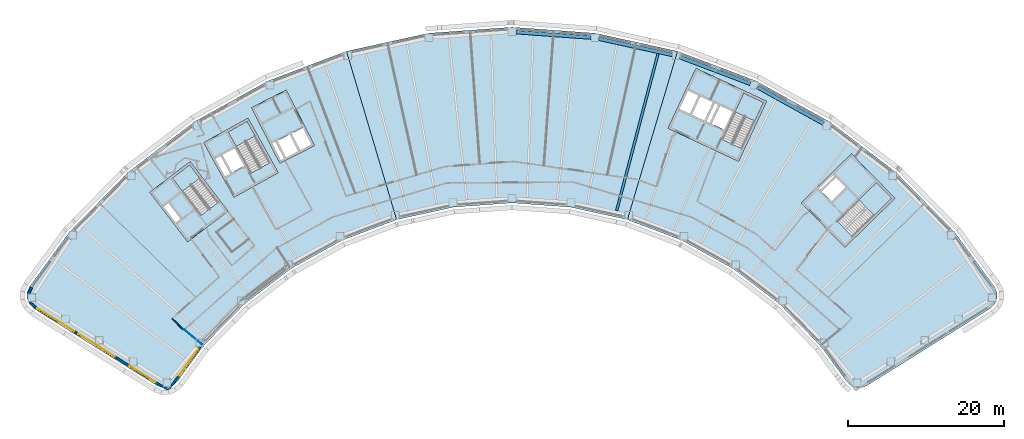
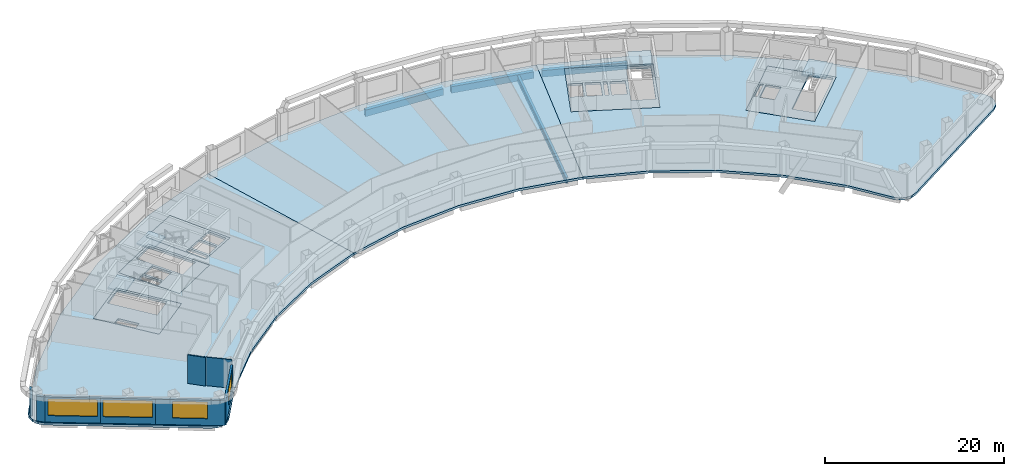
# One storey, part 2 of 11: 12 slabs, 8 walls, 5 beams, 4 windows, 4 openings, 4 elements without a shape of their own.
"""IFC4 building model written with IfcOpenShell, lengths in metres."""

from ifc_helpers import new_model, si_unit, direction, frame, frame_2d, origin, origin_2d, place, context, subcontext, project, spatial, polyline, rectangle, hollow_rectangle, i_section, outline, extrude, material, layer, layer_set, material_profile, profile_set, type_object, element, fill, aggregate, save


model = new_model("IFC4")

# Units and contexts
model_context = context("Model", 3, precision=1e-05, world=origin(), true_north=direction((0.0, 1.0)))
body_context = subcontext(model_context, "Body", "Model", "MODEL_VIEW")
ifc_project = project(units=[si_unit("LENGTHUNIT", "METRE"), si_unit("AREAUNIT", "SQUARE_METRE"), si_unit("VOLUMEUNIT", "CUBIC_METRE"), si_unit("PLANEANGLEUNIT", "RADIAN"), si_unit("MASSUNIT", "GRAM", prefix="KILO")], contexts=[model_context])

# Site, building, storey
site_placement = place(None, origin())
site = spatial("IfcSite", under=ifc_project, at=site_placement, CompositionType="ELEMENT")
building_placement = place(site_placement, origin())
building = spatial("IfcBuilding", under=site, at=building_placement, Name="Tuul Gate Civic Tower", CompositionType="ELEMENT")
storey_placement = place(building_placement, frame((0.0, 0.0, 159.199951171875)))
storey = spatial("IfcBuildingStorey", under=building, at=storey_placement, Name="Level 36", CompositionType="ELEMENT", Elevation=159.199951171875)

# Beams
ifc_material_1 = material(Name="Steel S355", Category="steel")
ifc_material_profile_1 = material_profile(ifc_material_1, i_section(OverallWidth=0.300048828125, OverallDepth=0.800048828125, WebThickness=0.013916015625, FlangeThickness=0.02490234375, at=origin_2d()), Name="PG800x300x14x25")
ifc_profile_set_1 = profile_set([ifc_material_profile_1], Name="Steel S355")
beam_type_1 = type_object("IfcBeamType", Name="STR-FLOOR BEAM-PG800x300x14x25", PredefinedType="BEAM", material=ifc_profile_set_1)
beam_1_placement = place(storey_placement, frame((18.8125, -13.7099609375, -0.699951171875), z_axis=(0.255004720301, 0.96693980817, 0.0), x_axis=(-0.96693980817, 0.255004720301, 0.0)))
element("IfcBeam", 1, at=beam_1_placement, inside=storey, type_object=beam_type_1, Name="Floor beam", PredefinedType="BEAM", context=body_context, shape_type="SweptSolid", body=[
    extrude(i_section(OverallWidth=0.300048828125, OverallDepth=0.800048828125, WebThickness=0.013916015625, FlangeThickness=0.02490234375, at=origin_2d()), origin(), (0.0, 0.0, 1.0), 20.817626953125),
])
ifc_material_2 = material(Name="Steel S355", Category="steel")
ifc_material_profile_2 = material_profile(ifc_material_2, hollow_rectangle(XDim=0.449951171875, YDim=0.89990234375, WallThickness=0.02490234375, at=origin_2d()), Name="BOX900x450x25")
ifc_profile_set_2 = profile_set([ifc_material_profile_2], Name="Steel S355")
beam_type_2 = type_object("IfcBeamType", Name="STR-SPANDREL BEAM-BOX900x450x25", PredefinedType="BEAM", material=ifc_profile_set_2)
beam_2_placement = place(storey_placement, frame((45.338623046875, -2.548583984375, -0.75), z_axis=(-0.874626955885, 0.484796542933, 0.0), x_axis=(-0.484796542933, -0.874626955885, 0.0)))
element("IfcBeam", 2, at=beam_2_placement, inside=storey, type_object=beam_type_2, Name="Spandrel beam", PredefinedType="BEAM", context=body_context, shape_type="SweptSolid", body=[
    extrude(hollow_rectangle(XDim=0.449951171875, YDim=0.89990234375, WallThickness=0.02490234375, at=origin_2d()), origin(), (0.0, 0.0, 1.0), 9.676513671875),
])
beam_3_placement = place(storey_placement, frame((35.97021484375, 2.561767578125, -0.75), z_axis=(-0.935339508416, 0.353751330735, 0.0), x_axis=(-0.353751330735, -0.935339508416, 0.0)))
element("IfcBeam", 3, at=beam_3_placement, inside=storey, type_object=beam_type_2, Name="Spandrel beam", PredefinedType="BEAM", context=body_context, shape_type="SweptSolid", body=[
    extrude(hollow_rectangle(XDim=0.449951171875, YDim=0.89990234375, WallThickness=0.02490234375, at=origin_2d()), origin(), (0.0, 0.0, 1.0), 9.67724609375),
])
beam_4_placement = place(storey_placement, frame((25.962646484375, 6.26953125, -0.75), z_axis=(-0.976569557508, 0.215201996619, 0.0), x_axis=(-0.215201996619, -0.976569557508, 0.0)))
element("IfcBeam", 4, at=beam_4_placement, inside=storey, type_object=beam_type_2, Name="Spandrel beam", PredefinedType="BEAM", context=body_context, shape_type="SweptSolid", body=[
    extrude(hollow_rectangle(XDim=0.449951171875, YDim=0.89990234375, WallThickness=0.02490234375, at=origin_2d()), origin(), (0.0, 0.0, 1.0), 9.67822265625),
])
beam_5_placement = place(storey_placement, frame((15.5244140625, 8.49609375, -0.75), z_axis=(-0.997382449667, 0.072306632453, 0.0), x_axis=(-0.072306632453, -0.997382449667, 0.0)))
element("IfcBeam", 5, at=beam_5_placement, inside=storey, type_object=beam_type_2, Name="Spandrel beam", PredefinedType="BEAM", context=body_context, shape_type="SweptSolid", body=[
    extrude(hollow_rectangle(XDim=0.449951171875, YDim=0.89990234375, WallThickness=0.02490234375, at=origin_2d()), origin(), (0.0, 0.0, 1.0), 9.677001953125),
])

# Slabs
ifc_material_3 = material(Name="Concrete C40/50", Category="concrete")
ifc_layer_1 = layer(ifc_material_3, 0.300048828125)
ifc_layer_set_1 = layer_set([ifc_layer_1], Name="Concrete C40/50")
slab_type_1 = type_object("IfcSlabType", Name="Core floor slab 300", PredefinedType="FLOOR", material=ifc_layer_set_1)
slab_1_placement = place(storey_placement, frame((0.0, 0.0, -0.300048828125)))
element("IfcSlab", 6, at=slab_1_placement, inside=storey, type_object=slab_type_1, Name="FLOOR SLAB", PredefinedType="FLOOR", context=body_context, shape_type="SweptSolid", body=[
    extrude(outline(polyline([(-31.10009765625, -13.7890625), (-35.946044921875, -7.423828125), (-41.11767578125, -11.361572265625), (-36.271484375, -17.726806640625), (-31.10009765625, -13.7890625)]), holes=[polyline([(-37.19287109375, -14.783203125), (-38.737548828125, -12.75439453125), (-39.45361328125, -13.299560546875), (-37.908935546875, -15.328369140625), (-37.19287109375, -14.783203125)]), polyline([(-32.33935546875, -12.65771484375), (-34.56591796875, -14.352783203125), (-38.229736328125, -9.54052734375), (-36.003173828125, -7.845458984375), (-32.33935546875, -12.65771484375)])]), origin(), (0.0, 0.0, 1.0), 0.300048828125),
])
slab_2_placement = place(storey_placement, frame((0.0, 0.0, -0.300048828125)))
element("IfcSlab", 7, at=slab_2_placement, inside=storey, type_object=slab_type_1, Name="FLOOR SLAB", PredefinedType="FLOOR", context=body_context, shape_type="SweptSolid", body=[
    extrude(outline(polyline([(-24.638916015625, -8.846923828125), (-28.51708984375, -1.849853515625), (-34.2021484375, -5.0009765625), (-30.32421875, -11.998046875), (-24.638916015625, -8.846923828125)]), holes=[polyline([(-29.0185546875, -7.958740234375), (-30.254638671875, -5.728515625), (-31.785400390625, -6.576904296875), (-30.54931640625, -8.80712890625), (-29.0185546875, -7.958740234375)]), polyline([(-30.8115234375, -8.95263671875), (-32.047607421875, -6.72216796875), (-32.8349609375, -7.158447265625), (-31.5986328125, -9.388916015625), (-30.8115234375, -8.95263671875)]), polyline([(-25.702392578125, -7.548828125), (-28.14990234375, -8.905517578125), (-31.08203125, -3.615234375), (-28.63427734375, -2.2587890625), (-25.702392578125, -7.548828125)])]), origin(), (0.0, 0.0, 1.0), 0.300048828125),
])
slab_3_placement = place(storey_placement, frame((0.0, 0.0, -0.300048828125)))
element("IfcSlab", 8, at=slab_3_placement, inside=storey, type_object=slab_type_1, Name="FLOOR SLAB", PredefinedType="FLOOR", context=body_context, shape_type="SweptSolid", body=[
    extrude(outline(polyline([(48.117919921875, -18.43310546875), (54.545166015625, -12.1328125), (48.945068359375, -6.419921875), (42.517822265625, -12.719970703125), (48.117919921875, -18.43310546875)]), holes=[polyline([(46.373779296875, -12.510986328125), (48.19482421875, -10.725830078125), (46.969970703125, -9.47607421875), (45.14892578125, -11.26123046875), (46.373779296875, -12.510986328125)]), polyline([(44.93896484375, -11.046875), (46.760009765625, -9.261962890625), (46.514892578125, -9.011962890625), (44.69384765625, -10.797119140625), (44.93896484375, -11.046875)]), polyline([(49.086181640625, -17.062744140625), (47.12744140625, -15.064208984375), (52.160888671875, -10.130126953125), (54.11962890625, -12.128662109375), (49.086181640625, -17.062744140625)])]), origin(), (0.0, 0.0, 1.0), 0.300048828125),
])
slab_4_placement = place(storey_placement, frame((0.0, 0.0, -0.300048828125)))
element("IfcSlab", 9, at=slab_4_placement, inside=storey, type_object=slab_type_1, Name="FLOOR SLAB", PredefinedType="FLOOR", context=body_context, shape_type="SweptSolid", body=[
    extrude(outline(polyline([(34.465087890625, -7.385986328125), (38.056884765625, 0.31787109375), (28.993896484375, 4.543701171875), (25.40185546875, -3.159912109375), (34.465087890625, -7.385986328125)]), holes=[polyline([(32.60888671875, -3.32080078125), (33.6865234375, -1.009765625), (32.1005859375, -0.27001953125), (31.02294921875, -2.581298828125), (32.60888671875, -3.32080078125)]), polyline([(30.0712890625, -2.137451171875), (31.14892578125, 0.173583984375), (29.562744140625, 0.9130859375), (28.4853515625, -1.39794921875), (30.0712890625, -2.137451171875)]), polyline([(30.751220703125, -2.454345703125), (31.82861328125, -0.143310546875), (31.4208984375, 0.046875), (30.34326171875, -2.264404296875), (30.751220703125, -2.454345703125)]), polyline([(28.21337890625, -1.27099609375), (29.291015625, 1.0400390625), (27.8408203125, 1.71630859375), (26.76318359375, -0.594970703125), (28.21337890625, -1.27099609375)]), polyline([(34.889892578125, -5.7626953125), (32.353759765625, -4.580078125), (35.120849609375, 1.354736328125), (37.6572265625, 0.17236328125), (34.889892578125, -5.7626953125)])]), origin(), (0.0, 0.0, 1.0), 0.300048828125),
])
ifc_material_4 = material(Name="Concrete C40/50", Category="concrete")
ifc_layer_2 = layer(ifc_material_4, 0.300048828125)
ifc_layer_set_2 = layer_set([ifc_layer_2], Name="Concrete C40/50")
slab_type_2 = type_object("IfcSlabType", Name="Core floor slab 300 non-bearing", PredefinedType="FLOOR", material=ifc_layer_set_2)
slab_5_placement = place(storey_placement, frame((0.0, 0.0, -0.300048828125)))
element("IfcSlab", 10, at=slab_5_placement, inside=storey, type_object=slab_type_2, Name="FLOOR SLAB", PredefinedType="FLOOR", context=body_context, shape_type="SweptSolid", body=[
    extrude(outline(polyline([(-19.98095703125, -5.365966796875), (-23.613037109375, 1.761962890625), (-28.068115234375, -0.508056640625), (-24.43603515625, -7.635986328125), (-19.98095703125, -5.365966796875)]), holes=[polyline([(-20.384521484375, -5.23486328125), (-21.47412109375, -3.096435546875), (-22.899658203125, -3.822998046875), (-21.81005859375, -5.961181640625), (-20.384521484375, -5.23486328125)]), polyline([(-22.077392578125, -6.097412109375), (-23.1669921875, -3.958984375), (-24.726318359375, -4.753662109375), (-23.63671875, -6.89208984375), (-22.077392578125, -6.097412109375)]), polyline([(-23.8359375, -7.161865234375), (-24.99365234375, -4.889892578125), (-25.5283203125, -5.162109375), (-24.37060546875, -7.434326171875), (-23.8359375, -7.161865234375)])]), origin(), (0.0, 0.0, 1.0), 0.300048828125),
])

# Stair, slab
ifc_material_5 = material(Name="Concrete C40/50", Category="concrete")
stair_type = type_object("IfcStairType", Name="Exit stair", PredefinedType="HALF_TURN_STAIR", material=ifc_material_5)
stair_1_placement = place(storey_placement, origin())
stair_1 = element("IfcStair", 11, at=stair_1_placement, inside=storey, type_object=stair_type, Name="Level 36 ST-1", PredefinedType="HALF_TURN_STAIR")
ifc_material_6 = material(Name="Concrete C40/50", Category="concrete")
ifc_layer_3 = layer(ifc_material_6, 0.199951171875)
ifc_layer_set_3 = layer_set([ifc_layer_3], Name="Concrete C40/50")
slab_type_3 = type_object("IfcSlabType", Name="Exit stair landing", PredefinedType="LANDING", material=ifc_layer_set_3)
slab_6_placement = place(storey_placement, frame((0.0, 0.0, 1.900146484375)))
slab_6 = element("IfcSlab", 12, at=slab_6_placement, type_object=slab_type_3, Name="ST-1 landing 1", PredefinedType="LANDING", context=body_context, shape_type="SweptSolid", body=[
    extrude(outline(polyline([(-34.699462890625, -9.554931640625), (-36.9287109375, -11.252197265625), (-38.23193359375, -9.540283203125), (-36.0029296875, -7.843017578125), (-34.699462890625, -9.554931640625)])), origin(), (0.0, 0.0, 1.0), 0.199951171875),
])
aggregate(stair_1, [slab_6])

stair_2_placement = place(storey_placement, origin())
stair_2 = element("IfcStair", 13, at=stair_2_placement, inside=storey, type_object=stair_type, Name="Level 36 ST-2", PredefinedType="HALF_TURN_STAIR")
slab_7_placement = place(storey_placement, frame((0.0, 0.0, 1.900146484375)))
slab_7 = element("IfcSlab", 14, at=slab_7_placement, type_object=slab_type_3, Name="ST-2 landing 1", PredefinedType="LANDING", context=body_context, shape_type="SweptSolid", body=[
    extrude(outline(polyline([(-27.5908203125, -4.138427734375), (-30.041015625, -5.49658203125), (-31.084228515625, -3.61474609375), (-28.6337890625, -2.256591796875), (-27.5908203125, -4.138427734375)])), origin(), (0.0, 0.0, 1.0), 0.199951171875),
])
aggregate(stair_2, [slab_7])

stair_3_placement = place(storey_placement, origin())
stair_3 = element("IfcStair", 15, at=stair_3_placement, inside=storey, type_object=stair_type, Name="Level 36 ST-3", PredefinedType="HALF_TURN_STAIR")
slab_8_placement = place(storey_placement, frame((0.0, 0.0, 1.900146484375)))
slab_8 = element("IfcSlab", 16, at=slab_8_placement, type_object=slab_type_3, Name="ST-3 landing 1", PredefinedType="LANDING", context=body_context, shape_type="SweptSolid", body=[
    extrude(outline(polyline([(51.871337890625, -14.3349609375), (49.91015625, -12.334228515625), (52.160888671875, -10.1279296875), (54.1220703125, -12.128662109375), (51.871337890625, -14.3349609375)])), origin(), (0.0, 0.0, 1.0), 0.199951171875),
])
aggregate(stair_3, [slab_8])

stair_4_placement = place(storey_placement, origin())
stair_4 = element("IfcStair", 17, at=stair_4_placement, inside=storey, type_object=stair_type, Name="Level 36 ST-4", PredefinedType="HALF_TURN_STAIR")
slab_9_placement = place(storey_placement, frame((0.0, 0.0, 1.900146484375)))
slab_9 = element("IfcSlab", 18, at=slab_9_placement, type_object=slab_type_3, Name="ST-4 landing 1", PredefinedType="LANDING", context=body_context, shape_type="SweptSolid", body=[
    extrude(outline(polyline([(36.538818359375, -2.230224609375), (33.999755859375, -1.046142578125), (35.1201171875, 1.35693359375), (37.659423828125, 0.173095703125), (36.538818359375, -2.230224609375)])), origin(), (0.0, 0.0, 1.0), 0.199951171875),
])
aggregate(stair_4, [slab_9])

# Slabs
ifc_material_7 = material(Name="Concrete C35/45", Category="concrete")
ifc_layer_4 = layer(ifc_material_7, 0.300048828125)
ifc_layer_set_4 = layer_set([ifc_layer_4], Name="Concrete C35/45")
slab_type_4 = type_object("IfcSlabType", Name="STR-FLOOR-SLAB-300", PredefinedType="FLOOR", material=ifc_layer_set_4)
slab_10_placement = place(storey_placement, frame((0.0, 0.0, -0.300048828125)))
element("IfcSlab", 19, at=slab_10_placement, inside=storey, type_object=slab_type_4, Name="Level 36/slab/W", PredefinedType="FLOOR", context=body_context, shape_type="SweptSolid", body=[
    extrude(outline(polyline([(-16.4599609375, -17.5380859375), (-9.43994140625, -14.883056640625), (-15.8740234375, 6.739013671875), (-25.943115234375, 2.930908203125), (-35.35693359375, -2.287109375), (-43.922119140625, -8.80810546875), (-51.45703125, -16.4951171875), (-56.537109375, -23.451904296875), (-56.8740234375, -24.195068359375), (-56.885986328125, -25.010009765625), (-56.571044921875, -25.762939453125), (-55.98193359375, -26.326904296875), (-40.251953125, -36.156005859375), (-39.55810546875, -36.427001953125), (-38.81298828125, -36.424072265625), (-38.12109375, -36.14892578125), (-37.576904296875, -35.639892578125), (-34.248046875, -31.08203125), (-28.9951171875, -25.721923828125), (-23.02392578125, -21.176025390625), (-16.4599609375, -17.5380859375)]), holes=[polyline([(-31.10009765625, -13.7890625), (-36.27197265625, -17.72705078125), (-41.117919921875, -11.362060546875), (-35.946044921875, -7.424072265625), (-31.10009765625, -13.7890625)]), polyline([(-24.638916015625, -8.846923828125), (-30.323974609375, -11.998046875), (-34.201904296875, -5.0009765625), (-28.51708984375, -1.85009765625), (-24.638916015625, -8.846923828125)]), polyline([(-24.43603515625, -7.635986328125), (-28.068115234375, -0.508056640625), (-23.613037109375, 1.761962890625), (-19.98095703125, -5.365966796875), (-24.43603515625, -7.635986328125)])]), origin(), (0.0, 0.0, 1.0), 0.300048828125),
])
slab_11_placement = place(storey_placement, frame((0.0, 0.0, -0.300048828125)))
element("IfcSlab", 20, at=slab_11_placement, inside=storey, type_object=slab_type_4, Name="Level 36/slab/M", PredefinedType="FLOOR", context=body_context, shape_type="SweptSolid", body=[
    extrude(outline(polyline([(20.18798828125, -14.883056640625), (26.6220703125, 6.739013671875), (16.110107421875, 9.054931640625), (5.3740234375, 9.8330078125), (-5.362060546875, 9.054931640625), (-15.8740234375, 6.739013671875), (-9.43994140625, -14.883056640625), (-2.111083984375, -13.26806640625), (5.3740234375, -12.72607421875), (12.85888671875, -13.26806640625), (20.18798828125, -14.883056640625)])), origin(), (0.0, 0.0, 1.0), 0.300048828125),
])
slab_12_placement = place(storey_placement, frame((0.0, 0.0, -0.300048828125)))
element("IfcSlab", 21, at=slab_12_placement, inside=storey, type_object=slab_type_4, Name="Level 36/slab/E", PredefinedType="FLOOR", context=body_context, shape_type="SweptSolid", body=[
    extrude(outline(polyline([(50.305908203125, -36.427001953125), (51.0, -36.156005859375), (66.72998046875, -26.326904296875), (67.319091796875, -25.762939453125), (67.634033203125, -25.010009765625), (67.6220703125, -24.195068359375), (67.284912109375, -23.451904296875), (62.205078125, -16.4951171875), (54.669921875, -8.80810546875), (46.10498046875, -2.287109375), (36.69091796875, 2.930908203125), (26.6220703125, 6.739013671875), (20.18798828125, -14.883056640625), (27.2080078125, -17.5380859375), (33.77197265625, -21.176025390625), (39.742919921875, -25.721923828125), (44.99609375, -31.08203125), (48.324951171875, -35.639892578125), (48.868896484375, -36.14892578125), (49.56103515625, -36.424072265625), (50.305908203125, -36.427001953125)]), holes=[polyline([(48.117919921875, -18.43310546875), (42.51806640625, -12.719970703125), (48.945068359375, -6.419921875), (54.544921875, -12.133056640625), (48.117919921875, -18.43310546875)]), polyline([(25.402099609375, -3.159912109375), (28.993896484375, 4.5439453125), (38.056884765625, 0.318115234375), (34.465087890625, -7.385986328125), (25.402099609375, -3.159912109375)])]), origin(), (0.0, 0.0, 1.0), 0.300048828125),
])

# Walls
ifc_material_8 = material(Name="Gypsum board partition")
ifc_layer_5 = layer(ifc_material_8, 0.14990234375)
ifc_layer_set_5 = layer_set([ifc_layer_5], Name="Gypsum board partition")
wall_type_1 = type_object("IfcWallType", Name="Corridor wall P150", PredefinedType="PARTITIONING", material=ifc_layer_set_5)
wall_1_placement = place(storey_placement, frame((-38.264892578125, -27.57275390625, 0.0), z_axis=(0.0, 0.0, 1.0), x_axis=(0.71162637718, -0.702558110978, 0.0)))
element("IfcWall", 22, at=wall_1_placement, inside=storey, type_object=wall_type_1, Name="p051", PredefinedType="PARTITIONING", context=body_context, shape_type="SweptSolid", body=[
    extrude(rectangle(XDim=2.099853515625, YDim=0.14990234375, at=frame_2d((1.0498046875, 0.0))), origin(), (0.0, 0.0, 1.0), 3.900146484375),
])
ifc_material_9 = material(Name="Precast concrete C40/50", Category="concrete")
ifc_layer_6 = layer(ifc_material_9, 0.25)
ifc_layer_set_6 = layer_set([ifc_layer_6], Name="Precast concrete C40/50")
wall_type_2 = type_object("IfcWallType", Name="External wall", PredefinedType="STANDARD", material=ifc_layer_set_6)
wall_2_placement = place(storey_placement, frame((-56.30224609375, -23.591796875, 0.0), z_axis=(0.0, 0.0, 1.0), x_axis=(-0.41355333093, -0.9104798968, 0.0)))
element("IfcWall", 23, at=wall_2_placement, inside=storey, type_object=wall_type_2, Name="External wall", PredefinedType="STANDARD", context=body_context, shape_type="SweptSolid", body=[
    extrude(rectangle(XDim=0.88427734375, YDim=0.25, at=frame_2d((0.442138671875, 0.0))), origin(), (0.0, 0.0, 1.0), 3.449951171875),
])
wall_3_placement = place(storey_placement, frame((-56.560546875, -25.39697265625, 0.0), z_axis=(0.0, 0.0, 1.0), x_axis=(0.722111514746, -0.691776669361, 0.0)))
element("IfcWall", 24, at=wall_3_placement, inside=storey, type_object=wall_type_2, Name="External wall", PredefinedType="STANDARD", context=body_context, shape_type="SweptSolid", body=[
    extrude(rectangle(XDim=1.0302734375, YDim=0.25, at=frame_2d((0.51513671875, 0.0))), origin(), (0.0, 0.0, 1.0), 3.449951171875),
])

# Wall, opening, window
wall_4_placement = place(storey_placement, frame((-55.836669921875, -26.093994140625, 0.0), z_axis=(0.0, 0.0, 1.0), x_axis=(0.848042669488, -0.529927948619, 0.0)))
wall_4 = element("IfcWall", 25, at=wall_4_placement, inside=storey, type_object=wall_type_2, Name="External wall", PredefinedType="STANDARD", context=body_context, shape_type="SweptSolid", body=[
    extrude(rectangle(XDim=6.1826171875, YDim=0.25, at=frame_2d((3.09130859375, 0.0))), origin(), (0.0, 0.0, 1.0), 3.449951171875),
])
opening_1_placement = place(wall_4_placement, frame((0.31640625, 0.0, 0.89990234375)))
opening_1 = element("IfcOpeningElement", 26, at=opening_1_placement, cuts=wall_4, Name="Opening W24", PredefinedType="OPENING", context=body_context, shape_type="SweptSolid", body=[
    extrude(rectangle(XDim=5.550048828125, YDim=2.300048828125, at=frame_2d((2.77490234375, 1.14990234375))), frame((0.0, 0.135009765625, 0.0), z_axis=(0.0, -1.0, 0.0), x_axis=(1.0, 0.0, 0.0)), (0.0, 0.0, 1.0), 0.27001953125),
])
ifc_material_10 = material(Name="Glass", Category="glass")
window_type_1 = type_object("IfcWindowType", Name="Window W24 5550 x 2300", PartitioningType="SINGLE_PANEL", PredefinedType="WINDOW", material=ifc_material_10)
window_1_placement = place(opening_1_placement, origin())
window_1 = element("IfcWindow", 27, at=window_1_placement, inside=storey, type_object=window_type_1, Name="Window", OverallHeight=2.300048828125, OverallWidth=5.550048828125, PartitioningType="SINGLE_PANEL", PredefinedType="WINDOW", context=body_context, shape_type="SweptSolid", body=[
    extrude(rectangle(XDim=5.550048828125, YDim=2.300048828125, at=frame_2d((2.77490234375, 1.14990234375))), frame((0.0, 0.030029296875, 0.0), z_axis=(0.0, -1.0, 0.0), x_axis=(1.0, 0.0, 0.0)), (0.0, 0.0, 1.0), 0.06005859375),
])
fill(opening_1, window_1)

wall_5_placement = place(storey_placement, frame((-50.593505859375, -29.370361328125, 0.0), z_axis=(0.0, 0.0, 1.0), x_axis=(0.848053758074, -0.529910203164, 0.0)))
wall_5 = element("IfcWall", 28, at=wall_5_placement, inside=storey, type_object=wall_type_2, Name="External wall", PredefinedType="STANDARD", context=body_context, shape_type="SweptSolid", body=[
    extrude(rectangle(XDim=6.182861328125, YDim=0.25, at=frame_2d((3.09130859375, 0.0))), origin(), (0.0, 0.0, 1.0), 3.449951171875),
])
opening_2_placement = place(wall_5_placement, frame((0.31640625, 0.0, 0.89990234375)))
opening_2 = element("IfcOpeningElement", 29, at=opening_2_placement, cuts=wall_5, Name="Opening W24", PredefinedType="OPENING", context=body_context, shape_type="SweptSolid", body=[
    extrude(rectangle(XDim=5.550048828125, YDim=2.300048828125, at=frame_2d((2.77490234375, 1.14990234375))), frame((0.0, 0.135009765625, 0.0), z_axis=(0.0, -1.0, 0.0), x_axis=(1.0, 0.0, 0.0)), (0.0, 0.0, 1.0), 0.27001953125),
])
window_2_placement = place(opening_2_placement, origin())
window_2 = element("IfcWindow", 30, at=window_2_placement, inside=storey, type_object=window_type_1, Name="Window", OverallHeight=2.300048828125, OverallWidth=5.550048828125, PartitioningType="SINGLE_PANEL", PredefinedType="WINDOW", context=body_context, shape_type="SweptSolid", body=[
    extrude(rectangle(XDim=5.550048828125, YDim=2.300048828125, at=frame_2d((2.77490234375, 1.14990234375))), frame((0.0, 0.030029296875, 0.0), z_axis=(0.0, -1.0, 0.0), x_axis=(1.0, 0.0, 0.0)), (0.0, 0.0, 1.0), 0.06005859375),
])
fill(opening_2, window_2)

wall_6_placement = place(storey_placement, frame((-45.35009765625, -32.646728515625, 0.0), z_axis=(0.0, 0.0, 1.0), x_axis=(0.848051131154, -0.529914407191, 0.0)))
wall_6 = element("IfcWall", 31, at=wall_6_placement, inside=storey, type_object=wall_type_2, Name="External wall", PredefinedType="STANDARD", context=body_context, shape_type="SweptSolid", body=[
    extrude(rectangle(XDim=7.788330078125, YDim=0.25, at=frame_2d((3.89404296875, 0.0))), origin(), (0.0, 0.0, 1.0), 3.449951171875),
])
opening_3_placement = place(wall_6_placement, frame((1.89697265625, 0.0, 0.89990234375)))
opening_3 = element("IfcOpeningElement", 32, at=opening_3_placement, cuts=wall_6, Name="Opening W113", PredefinedType="OPENING", context=body_context, shape_type="SweptSolid", body=[
    extrude(rectangle(XDim=3.949951171875, YDim=2.300048828125, at=frame_2d((1.97509765625, 1.14990234375))), frame((0.0, 0.135009765625, 0.0), z_axis=(0.0, -1.0, 0.0), x_axis=(1.0, 0.0, 0.0)), (0.0, 0.0, 1.0), 0.27001953125),
])
ifc_material_11 = material(Name="Glass", Category="glass")
window_type_2 = type_object("IfcWindowType", Name="Window W113 3950 x 2300", PartitioningType="SINGLE_PANEL", PredefinedType="WINDOW", material=ifc_material_11)
window_3_placement = place(opening_3_placement, origin())
window_3 = element("IfcWindow", 33, at=window_3_placement, inside=storey, type_object=window_type_2, Name="Window", OverallHeight=2.300048828125, OverallWidth=3.949951171875, PartitioningType="SINGLE_PANEL", PredefinedType="WINDOW", context=body_context, shape_type="SweptSolid", body=[
    extrude(rectangle(XDim=3.949951171875, YDim=2.300048828125, at=frame_2d((1.97509765625, 1.14990234375))), frame((0.0, 0.030029296875, 0.0), z_axis=(0.0, -1.0, 0.0), x_axis=(1.0, 0.0, 0.0)), (0.0, 0.0, 1.0), 0.06005859375),
])
fill(opening_3, window_3)

wall_7_placement = place(storey_placement, frame((-38.7451171875, -36.77392578125, 0.0), z_axis=(0.0, 0.0, 1.0), x_axis=(0.589748164831, 0.8075872102, 0.0)))
wall_7 = element("IfcWall", 34, at=wall_7_placement, inside=storey, type_object=wall_type_2, Name="External wall", PredefinedType="STANDARD", context=body_context, shape_type="SweptSolid", body=[
    extrude(rectangle(XDim=6.910400390625, YDim=0.25, at=frame_2d((3.455078125, 0.0))), origin(), (0.0, 0.0, 1.0), 3.449951171875),
])
opening_4_placement = place(wall_7_placement, frame((2.356689453125, 0.0, 0.89990234375)))
opening_4 = element("IfcOpeningElement", 35, at=opening_4_placement, cuts=wall_7, Name="Opening W25", PredefinedType="OPENING", context=body_context, shape_type="SweptSolid", body=[
    extrude(rectangle(XDim=4.14990234375, YDim=2.300048828125, at=frame_2d((2.074951171875, 1.14990234375))), frame((0.0, 0.135009765625, 0.0), z_axis=(0.0, -1.0, 0.0), x_axis=(1.0, 0.0, 0.0)), (0.0, 0.0, 1.0), 0.27001953125),
])
ifc_material_12 = material(Name="Glass", Category="glass")
window_type_3 = type_object("IfcWindowType", Name="Window W25 4150 x 2300", PartitioningType="SINGLE_PANEL", PredefinedType="WINDOW", material=ifc_material_12)
window_4_placement = place(opening_4_placement, origin())
window_4 = element("IfcWindow", 36, at=window_4_placement, inside=storey, type_object=window_type_3, Name="Window", OverallHeight=2.300048828125, OverallWidth=4.14990234375, PartitioningType="SINGLE_PANEL", PredefinedType="WINDOW", context=body_context, shape_type="SweptSolid", body=[
    extrude(rectangle(XDim=4.14990234375, YDim=2.300048828125, at=frame_2d((2.074951171875, 1.14990234375))), frame((0.0, 0.030029296875, 0.0), z_axis=(0.0, -1.0, 0.0), x_axis=(1.0, 0.0, 0.0)), (0.0, 0.0, 1.0), 0.06005859375),
])
fill(opening_4, window_4)

# Wall
ifc_material_13 = material(Name="Gypsum board partition")
ifc_layer_7 = layer(ifc_material_13, 0.10009765625)
ifc_layer_set_7 = layer_set([ifc_layer_7], Name="Gypsum board partition")
wall_type_3 = type_object("IfcWallType", Name="Partition P100", PredefinedType="PARTITIONING", material=ifc_layer_set_7)
wall_8_placement = place(storey_placement, frame((-36.71044921875, -28.994873046875, 0.0), z_axis=(0.0, 0.0, 1.0), x_axis=(0.762834862431, -0.646593359585, 0.0)))
element("IfcWall", 37, at=wall_8_placement, inside=storey, type_object=wall_type_3, Name="p050", PredefinedType="PARTITIONING", context=body_context, shape_type="SweptSolid", body=[
    extrude(rectangle(XDim=2.957275390625, YDim=0.10009765625, at=frame_2d((1.478515625, 0.0))), origin(), (0.0, 0.0, 1.0), 3.900146484375),
])

save(model, "model.ifc")
